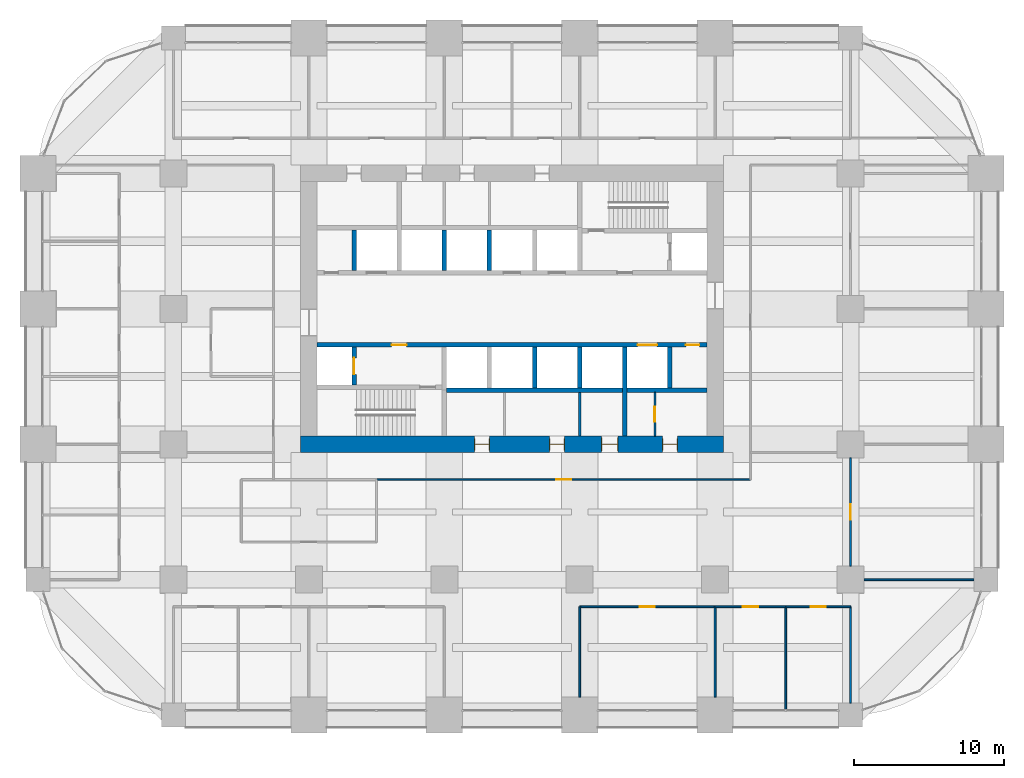
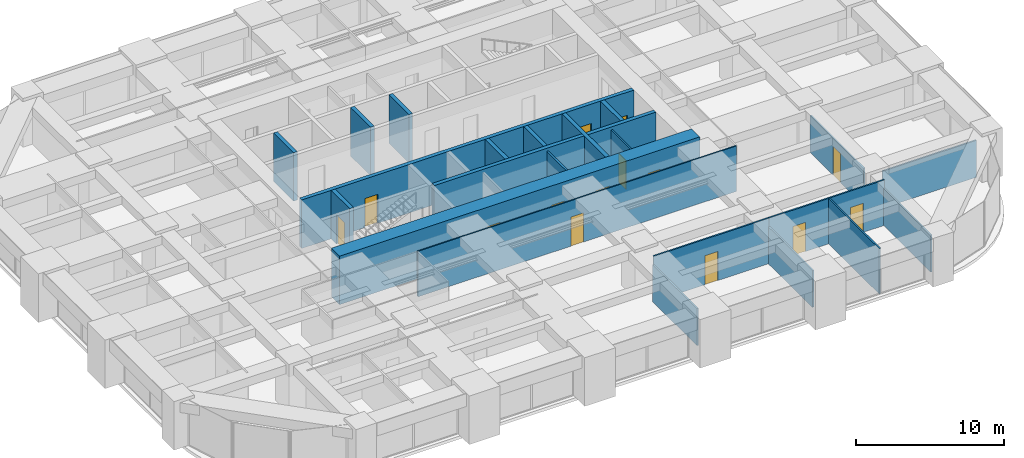
# One storey, part 39 of 43: 23 walls, 14 doors, 14 openings.
"""IFC4 building model written with IfcOpenShell, lengths in metres."""

from ifc_helpers import new_model, si_unit, direction, frame, frame_2d, origin, place, context, subcontext, project, spatial, rectangle, extrude, material, layer, layer_set, type_object, element, fill, save


model = new_model("IFC4")

# Units and contexts
model_context = context("Model", 3, precision=1e-05, world=origin(), true_north=direction((0.0, 1.0)))
body_context = subcontext(model_context, "Body", "Model", "MODEL_VIEW")
ifc_project = project(units=[si_unit("LENGTHUNIT", "METRE"), si_unit("AREAUNIT", "SQUARE_METRE"), si_unit("VOLUMEUNIT", "CUBIC_METRE"), si_unit("PLANEANGLEUNIT", "RADIAN"), si_unit("MASSUNIT", "GRAM", prefix="KILO")], contexts=[model_context])

# Site, building, storey
site_placement = place(None, origin())
site = spatial("IfcSite", under=ifc_project, at=site_placement, CompositionType="ELEMENT")
building_placement = place(site_placement, origin())
building = spatial("IfcBuilding", under=site, at=building_placement, Name="Zorevar Civic Tower", CompositionType="ELEMENT")
storey_placement = place(building_placement, frame((0.0, 0.0, 145.0)))
storey = spatial("IfcBuildingStorey", under=building, at=storey_placement, Name="L35", CompositionType="ELEMENT", Elevation=145.0)

# Wall, openings, doors
ifc_material_1 = material(Name="Concrete C50/60", Category="concrete")
ifc_layer_1 = layer(ifc_material_1, 1.10009765625)
ifc_layer_set_1 = layer_set([ifc_layer_1], Name="Core wall 1100")
wall_type_1 = type_object("IfcWallType", Name="Core wall 1100", PredefinedType="SHEAR", material=ifc_layer_set_1)
wall_1_placement = place(storey_placement, frame((17.449951171875, 18.0, 0.0), z_axis=(0.0, 0.0, 1.0), x_axis=(1.0, 0.0, 0.0)))
wall_1 = element("IfcWall", 1, at=wall_1_placement, inside=storey, type_object=wall_type_1, Name="Core wall S L35", PredefinedType="SHEAR", context=body_context, shape_type="SweptSolid", body=[
    extrude(rectangle(XDim=28.10009765625, YDim=1.10009765625, at=frame_2d((14.050048828125, 0.0))), origin(), (0.0, 0.0, 1.0), 4.0),
])
opening_1_placement = place(wall_1_placement, frame((11.550048828125, 0.0, 0.0)))
opening_1 = element("IfcOpeningElement", 2, at=opening_1_placement, cuts=wall_1, Name="Opening L35.03", PredefinedType="OPENING", context=body_context, shape_type="SweptSolid", body=[
    extrude(rectangle(XDim=1.0, YDim=2.39990234375, at=frame_2d((0.5, 1.199951171875))), frame((0.0, 0.56005859375, 0.0), z_axis=(0.0, -1.0, 0.0), x_axis=(1.0, 0.0, 0.0)), (0.0, 0.0, 1.0), 1.1201171875),
])
opening_2_placement = place(wall_1_placement, frame((16.550048828125, 0.0, 0.0)))
opening_2 = element("IfcOpeningElement", 3, at=opening_2_placement, cuts=wall_1, Name="Opening L35.04", PredefinedType="OPENING", context=body_context, shape_type="SweptSolid", body=[
    extrude(rectangle(XDim=1.0, YDim=2.39990234375, at=frame_2d((0.5, 1.199951171875))), frame((0.0, 0.56005859375, 0.0), z_axis=(0.0, -1.0, 0.0), x_axis=(1.0, 0.0, 0.0)), (0.0, 0.0, 1.0), 1.1201171875),
])
opening_3_placement = place(wall_1_placement, frame((20.0, 0.0, 0.0)))
opening_3 = element("IfcOpeningElement", 4, at=opening_3_placement, cuts=wall_1, Name="Opening L35.05", PredefinedType="OPENING", context=body_context, shape_type="SweptSolid", body=[
    extrude(rectangle(XDim=1.10009765625, YDim=2.39990234375, at=frame_2d((0.550048828125, 1.199951171875))), frame((0.0, 0.56005859375, 0.0), z_axis=(0.0, -1.0, 0.0), x_axis=(1.0, 0.0, 0.0)), (0.0, 0.0, 1.0), 1.1201171875),
])
opening_4_placement = place(wall_1_placement, frame((24.050048828125, 0.0, 0.0)))
opening_4 = element("IfcOpeningElement", 5, at=opening_4_placement, cuts=wall_1, Name="Opening L35.06", PredefinedType="OPENING", context=body_context, shape_type="SweptSolid", body=[
    extrude(rectangle(XDim=1.0, YDim=2.39990234375, at=frame_2d((0.5, 1.199951171875))), frame((0.0, 0.56005859375, 0.0), z_axis=(0.0, -1.0, 0.0), x_axis=(1.0, 0.0, 0.0)), (0.0, 0.0, 1.0), 1.1201171875),
])
ifc_material_2 = material(Name="Timber door set", Category="wood")
door_type_1 = type_object("IfcDoorType", Name="Door D1 1000x2400", OperationType="SINGLE_SWING_LEFT", PredefinedType="DOOR", material=ifc_material_2)
door_1_placement = place(opening_1_placement, origin())
door_1 = element("IfcDoor", 6, at=door_1_placement, inside=storey, type_object=door_type_1, Name="Door L35 02", OperationType="SINGLE_SWING_RIGHT", OverallHeight=2.39990234375, OverallWidth=1.0, PredefinedType="DOOR", context=body_context, shape_type="SweptSolid", body=[
    extrude(rectangle(XDim=1.0, YDim=2.39990234375, at=frame_2d((0.5, 1.199951171875))), frame((0.0, 0.02490234375, 0.0), z_axis=(0.0, -1.0, 0.0), x_axis=(1.0, 0.0, 0.0)), (0.0, 0.0, 1.0), 0.050048828125),
    extrude(rectangle(XDim=0.04, YDim=2.39990234375, at=frame_2d((0.02001953125, 1.199951171875))), frame((0.0, 0.39990234375, 0.0), z_axis=(0.0, -1.0, 0.0), x_axis=(1.0, 0.0, 0.0)), (0.0, 0.0, 1.0), 0.800048828125),
    extrude(rectangle(XDim=0.04, YDim=2.39990234375, at=frame_2d((0.97998046875, 1.199951171875))), frame((0.0, 0.39990234375, 0.0), z_axis=(0.0, -1.0, 0.0), x_axis=(1.0, 0.0, 0.0)), (0.0, 0.0, 1.0), 0.800048828125),
    extrude(rectangle(XDim=1.0, YDim=0.04, at=frame_2d((0.5, 2.3798828125))), frame((0.0, 0.39990234375, 0.0), z_axis=(0.0, -1.0, 0.0), x_axis=(1.0, 0.0, 0.0)), (0.0, 0.0, 1.0), 0.800048828125),
])
fill(opening_1, door_1)
door_2_placement = place(opening_2_placement, origin())
door_2 = element("IfcDoor", 7, at=door_2_placement, inside=storey, type_object=door_type_1, Name="Door L35 03", OperationType="SINGLE_SWING_LEFT", OverallHeight=2.39990234375, OverallWidth=1.0, PredefinedType="DOOR", context=body_context, shape_type="SweptSolid", body=[
    extrude(rectangle(XDim=1.0, YDim=2.39990234375, at=frame_2d((0.5, 1.199951171875))), frame((0.0, 0.02490234375, 0.0), z_axis=(0.0, -1.0, 0.0), x_axis=(1.0, 0.0, 0.0)), (0.0, 0.0, 1.0), 0.050048828125),
    extrude(rectangle(XDim=0.04, YDim=2.39990234375, at=frame_2d((0.02001953125, 1.199951171875))), frame((0.0, 0.39990234375, 0.0), z_axis=(0.0, -1.0, 0.0), x_axis=(1.0, 0.0, 0.0)), (0.0, 0.0, 1.0), 0.800048828125),
    extrude(rectangle(XDim=0.04, YDim=2.39990234375, at=frame_2d((0.97998046875, 1.199951171875))), frame((0.0, 0.39990234375, 0.0), z_axis=(0.0, -1.0, 0.0), x_axis=(1.0, 0.0, 0.0)), (0.0, 0.0, 1.0), 0.800048828125),
    extrude(rectangle(XDim=1.0, YDim=0.04, at=frame_2d((0.5, 2.3798828125))), frame((0.0, 0.39990234375, 0.0), z_axis=(0.0, -1.0, 0.0), x_axis=(1.0, 0.0, 0.0)), (0.0, 0.0, 1.0), 0.800048828125),
])
fill(opening_2, door_2)
door_3_placement = place(opening_4_placement, origin())
door_3 = element("IfcDoor", 8, at=door_3_placement, inside=storey, type_object=door_type_1, Name="Door L35 05", OperationType="SINGLE_SWING_LEFT", OverallHeight=2.39990234375, OverallWidth=1.0, PredefinedType="DOOR", context=body_context, shape_type="SweptSolid", body=[
    extrude(rectangle(XDim=1.0, YDim=2.39990234375, at=frame_2d((0.5, 1.199951171875))), frame((0.0, 0.02490234375, 0.0), z_axis=(0.0, -1.0, 0.0), x_axis=(1.0, 0.0, 0.0)), (0.0, 0.0, 1.0), 0.050048828125),
    extrude(rectangle(XDim=0.04, YDim=2.39990234375, at=frame_2d((0.02001953125, 1.199951171875))), frame((0.0, 0.39990234375, 0.0), z_axis=(0.0, -1.0, 0.0), x_axis=(1.0, 0.0, 0.0)), (0.0, 0.0, 1.0), 0.800048828125),
    extrude(rectangle(XDim=0.04, YDim=2.39990234375, at=frame_2d((0.97998046875, 1.199951171875))), frame((0.0, 0.39990234375, 0.0), z_axis=(0.0, -1.0, 0.0), x_axis=(1.0, 0.0, 0.0)), (0.0, 0.0, 1.0), 0.800048828125),
    extrude(rectangle(XDim=1.0, YDim=0.04, at=frame_2d((0.5, 2.3798828125))), frame((0.0, 0.39990234375, 0.0), z_axis=(0.0, -1.0, 0.0), x_axis=(1.0, 0.0, 0.0)), (0.0, 0.0, 1.0), 0.800048828125),
])
fill(opening_4, door_3)
ifc_material_3 = material(Name="Timber door set", Category="wood")
door_type_2 = type_object("IfcDoorType", Name="Door D5 1100x2400", OperationType="SINGLE_SWING_LEFT", PredefinedType="DOOR", material=ifc_material_3)
door_4_placement = place(opening_3_placement, origin())
door_4 = element("IfcDoor", 9, at=door_4_placement, inside=storey, type_object=door_type_2, Name="Door L35 04", OperationType="SINGLE_SWING_LEFT", OverallHeight=2.39990234375, OverallWidth=1.10009765625, PredefinedType="DOOR", context=body_context, shape_type="SweptSolid", body=[
    extrude(rectangle(XDim=1.10009765625, YDim=2.39990234375, at=frame_2d((0.550048828125, 1.199951171875))), frame((0.0, 0.02490234375, 0.0), z_axis=(0.0, -1.0, 0.0), x_axis=(1.0, 0.0, 0.0)), (0.0, 0.0, 1.0), 0.050048828125),
    extrude(rectangle(XDim=0.04, YDim=2.39990234375, at=frame_2d((0.02001953125, 1.199951171875))), frame((0.0, 0.43994140625, 0.0), z_axis=(0.0, -1.0, 0.0), x_axis=(1.0, 0.0, 0.0)), (0.0, 0.0, 1.0), 0.880126953125),
    extrude(rectangle(XDim=0.04, YDim=2.39990234375, at=frame_2d((1.080078125, 1.199951171875))), frame((0.0, 0.43994140625, 0.0), z_axis=(0.0, -1.0, 0.0), x_axis=(1.0, 0.0, 0.0)), (0.0, 0.0, 1.0), 0.880126953125),
    extrude(rectangle(XDim=1.10009765625, YDim=0.04, at=frame_2d((0.550048828125, 2.3798828125))), frame((0.0, 0.43994140625, 0.0), z_axis=(0.0, -1.0, 0.0), x_axis=(1.0, 0.0, 0.0)), (0.0, 0.0, 1.0), 0.880126953125),
])
fill(opening_3, door_4)

# Wall, opening, door
ifc_material_4 = material(Name="Laminated glass in black aluminium frame", Category="aluminium")
ifc_layer_2 = layer(ifc_material_4, 0.10009765625)
ifc_layer_set_2 = layer_set([ifc_layer_2], Name="Glazed partition 100")
wall_type_2 = type_object("IfcWallType", Name="Glazed partition 100", PredefinedType="PARTITIONING", material=ifc_layer_set_2)
wall_2_placement = place(storey_placement, frame((22.5, 15.64990234375, 0.0), z_axis=(0.0, 0.0, 1.0), x_axis=(1.0, 0.0, 0.0)))
wall_2 = element("IfcWall", 10, at=wall_2_placement, inside=storey, type_object=wall_type_2, Name="Glazed partition 100 L35", PredefinedType="PARTITIONING", context=body_context, shape_type="SweptSolid", body=[
    extrude(rectangle(XDim=24.85009765625, YDim=0.10009765625, at=frame_2d((12.425048828125, 0.0))), origin(), (0.0, 0.0, 1.0), 3.75),
])
opening_5_placement = place(wall_2_placement, frame((11.925048828125, 0.0, 0.0)))
opening_5 = element("IfcOpeningElement", 11, at=opening_5_placement, cuts=wall_2, Name="Opening L35.24", PredefinedType="OPENING", context=body_context, shape_type="SweptSolid", body=[
    extrude(rectangle(XDim=1.0, YDim=2.39990234375, at=frame_2d((0.5, 1.199951171875))), frame((0.0, 0.06005859375, 0.0), z_axis=(0.0, -1.0, 0.0), x_axis=(1.0, 0.0, 0.0)), (0.0, 0.0, 1.0), 0.1201171875),
])
ifc_material_5 = material(Name="Timber door set", Category="wood")
door_type_3 = type_object("IfcDoorType", Name="Glazed door GD1 1000x2400", OperationType="SINGLE_SWING_LEFT", PredefinedType="DOOR", material=ifc_material_5)
door_5_placement = place(opening_5_placement, origin())
door_5 = element("IfcDoor", 12, at=door_5_placement, inside=storey, type_object=door_type_3, Name="Door L35 D1", OperationType="SINGLE_SWING_LEFT", OverallHeight=2.39990234375, OverallWidth=1.0, PredefinedType="DOOR", context=body_context, shape_type="SweptSolid", body=[
    extrude(rectangle(XDim=1.0, YDim=2.39990234375, at=frame_2d((0.5, 1.199951171875))), frame((0.0, 0.02001953125, 0.0), z_axis=(0.0, -1.0, 0.0), x_axis=(1.0, 0.0, 0.0)), (0.0, 0.0, 1.0), 0.0400390625),
])
fill(opening_5, door_5)

ifc_material_6 = material(Name="Concrete C40/50", Category="concrete")
ifc_layer_3 = layer(ifc_material_6, 0.300048828125)
ifc_layer_set_3 = layer_set([ifc_layer_3], Name="Inner core wall 300")
wall_type_3 = type_object("IfcWallType", Name="Inner core wall 300", PredefinedType="SHEAR", material=ifc_layer_set_3)
wall_3_placement = place(storey_placement, frame((21.0, 21.949951171875, 0.0), z_axis=(0.0, 0.0, 1.0), x_axis=(0.0, 1.0, 0.0)))
wall_3 = element("IfcWall", 13, at=wall_3_placement, inside=storey, type_object=wall_type_3, Name="Inner core wall S02 L35", PredefinedType="SHEAR", context=body_context, shape_type="SweptSolid", body=[
    extrude(rectangle(XDim=2.5, YDim=0.300048828125, at=frame_2d((1.25, 0.0))), origin(), (0.0, 0.0, 1.0), 4.0),
])
opening_6_placement = place(wall_3_placement, frame((0.699951171875, 0.0, 0.0)))
opening_6 = element("IfcOpeningElement", 14, at=opening_6_placement, cuts=wall_3, Name="Opening L35.FL1", PredefinedType="OPENING", context=body_context, shape_type="SweptSolid", body=[
    extrude(rectangle(XDim=1.10009765625, YDim=2.39990234375, at=frame_2d((0.550048828125, 1.199951171875))), frame((0.0, 0.159912109375, 0.0), z_axis=(0.0, -1.0, 0.0), x_axis=(1.0, 0.0, 0.0)), (0.0, 0.0, 1.0), 0.320068359375),
])
ifc_material_7 = material(Name="Steel door set", Category="steel")
door_type_4 = type_object("IfcDoorType", Name="Firefighting lift landing door LD3 1100x2400", OperationType="DOUBLE_DOOR_SLIDING", PredefinedType="DOOR", material=ifc_material_7)
door_6_placement = place(opening_6_placement, origin())
door_6 = element("IfcDoor", 15, at=door_6_placement, inside=storey, type_object=door_type_4, Name="Landing door FL1 L35", OperationType="DOUBLE_DOOR_SLIDING", OverallHeight=2.39990234375, OverallWidth=1.10009765625, PredefinedType="DOOR", context=body_context, shape_type="SweptSolid", body=[
    extrude(rectangle(XDim=1.10009765625, YDim=2.39990234375, at=frame_2d((0.550048828125, 1.199951171875))), frame((0.0, 0.030029296875, 0.0), z_axis=(0.0, -1.0, 0.0), x_axis=(1.0, 0.0, 0.0)), (0.0, 0.0, 1.0), 0.06005859375),
])
fill(opening_6, door_6)

# Wall, openings, doors
wall_4_placement = place(storey_placement, frame((18.550048828125, 24.60009765625, 0.0), z_axis=(0.0, 0.0, 1.0), x_axis=(1.0, 0.0, 0.0)))
wall_4 = element("IfcWall", 16, at=wall_4_placement, inside=storey, type_object=wall_type_3, Name="Inner core wall S03 L35", PredefinedType="SHEAR", context=body_context, shape_type="SweptSolid", body=[
    extrude(rectangle(XDim=25.89990234375, YDim=0.300048828125, at=frame_2d((12.949951171875, 0.0))), origin(), (0.0, 0.0, 1.0), 4.0),
])
opening_7_placement = place(wall_4_placement, frame((4.949951171875, 0.0, 0.0)))
opening_7 = element("IfcOpeningElement", 17, at=opening_7_placement, cuts=wall_4, Name="Opening L35.13", PredefinedType="OPENING", context=body_context, shape_type="SweptSolid", body=[
    extrude(rectangle(XDim=1.0, YDim=2.39990234375, at=frame_2d((0.5, 1.199951171875))), frame((0.0, 0.159912109375, 0.0), z_axis=(0.0, -1.0, 0.0), x_axis=(1.0, 0.0, 0.0)), (0.0, 0.0, 1.0), 0.320068359375),
])
opening_8_placement = place(wall_4_placement, frame((24.5, 0.0, 0.0)))
opening_8 = element("IfcOpeningElement", 18, at=opening_8_placement, cuts=wall_4, Name="Opening L35.15", PredefinedType="OPENING", context=body_context, shape_type="SweptSolid", body=[
    extrude(rectangle(XDim=0.89990234375, YDim=2.10009765625, at=frame_2d((0.449951171875, 1.050048828125))), frame((0.0, 0.159912109375, 0.0), z_axis=(0.0, -1.0, 0.0), x_axis=(1.0, 0.0, 0.0)), (0.0, 0.0, 1.0), 0.320068359375),
])
opening_9_placement = place(wall_4_placement, frame((21.300048828125, 0.0, 0.0)))
opening_9 = element("IfcOpeningElement", 19, at=opening_9_placement, cuts=wall_4, Name="Opening L35.SL1", PredefinedType="OPENING", context=body_context, shape_type="SweptSolid", body=[
    extrude(rectangle(XDim=1.300048828125, YDim=2.39990234375, at=frame_2d((0.64990234375, 1.199951171875))), frame((0.0, 0.159912109375, 0.0), z_axis=(0.0, -1.0, 0.0), x_axis=(1.0, 0.0, 0.0)), (0.0, 0.0, 1.0), 0.320068359375),
])
ifc_material_8 = material(Name="Steel door set", Category="steel")
door_type_5 = type_object("IfcDoorType", Name="Fire door FD1 1000x2400", OperationType="SINGLE_SWING_LEFT", PredefinedType="DOOR", material=ifc_material_8)
door_7_placement = place(opening_7_placement, origin())
door_7 = element("IfcDoor", 20, at=door_7_placement, inside=storey, type_object=door_type_5, Name="Door L35 12", OperationType="SINGLE_SWING_RIGHT", OverallHeight=2.39990234375, OverallWidth=1.0, PredefinedType="DOOR", context=body_context, shape_type="SweptSolid", body=[
    extrude(rectangle(XDim=1.0, YDim=2.39990234375, at=frame_2d((0.5, 1.199951171875))), frame((0.0, 0.030029296875, 0.0), z_axis=(0.0, -1.0, 0.0), x_axis=(1.0, 0.0, 0.0)), (0.0, 0.0, 1.0), 0.06005859375),
])
fill(opening_7, door_7)
ifc_material_9 = material(Name="Steel door set", Category="steel")
door_type_6 = type_object("IfcDoorType", Name="Landing door LD2 1300x2400", OperationType="DOUBLE_DOOR_SLIDING", PredefinedType="DOOR", material=ifc_material_9)
door_8_placement = place(opening_9_placement, origin())
door_8 = element("IfcDoor", 21, at=door_8_placement, inside=storey, type_object=door_type_6, Name="Landing door SL1 L35", OperationType="DOUBLE_DOOR_SLIDING", OverallHeight=2.39990234375, OverallWidth=1.300048828125, PredefinedType="DOOR", context=body_context, shape_type="SweptSolid", body=[
    extrude(rectangle(XDim=1.300048828125, YDim=2.39990234375, at=frame_2d((0.64990234375, 1.199951171875))), frame((0.0, 0.02001953125, 0.0), z_axis=(0.0, -1.0, 0.0), x_axis=(1.0, 0.0, 0.0)), (0.0, 0.0, 1.0), 0.0400390625),
])
fill(opening_9, door_8)
ifc_material_10 = material(Name="Steel door set", Category="steel")
door_type_7 = type_object("IfcDoorType", Name="Riser door RD1 900x2100", OperationType="SINGLE_SWING_LEFT", PredefinedType="DOOR", material=ifc_material_10)
door_9_placement = place(opening_8_placement, origin())
door_9 = element("IfcDoor", 22, at=door_9_placement, inside=storey, type_object=door_type_7, Name="Door L35 14", OperationType="SINGLE_SWING_RIGHT", OverallHeight=2.10009765625, OverallWidth=0.89990234375, PredefinedType="DOOR", context=body_context, shape_type="SweptSolid", body=[
    extrude(rectangle(XDim=0.89990234375, YDim=2.10009765625, at=frame_2d((0.449951171875, 1.050048828125))), frame((0.0, 0.030029296875, 0.0), z_axis=(0.0, -1.0, 0.0), x_axis=(1.0, 0.0, 0.0)), (0.0, 0.0, 1.0), 0.06005859375),
])
fill(opening_8, door_9)

# Walls
wall_5_placement = place(storey_placement, frame((27.14990234375, 21.60009765625, 0.0), z_axis=(0.0, 0.0, 1.0), x_axis=(1.0, 0.0, 0.0)))
element("IfcWall", 23, at=wall_5_placement, inside=storey, type_object=wall_type_3, Name="Inner core wall S04 L35", PredefinedType="SHEAR", context=body_context, shape_type="SweptSolid", body=[
    extrude(rectangle(XDim=17.300048828125, YDim=0.300048828125, at=frame_2d((8.64990234375, 0.0))), origin(), (0.0, 0.0, 1.0), 4.0),
])
for number, where, z_axis, x_axis, name in (
    (24, (33.0, 21.75, 0.0), (0.0, 0.0, 1.0), (0.0, 1.0, 0.0), "Inner core wall S06 L35"),
    (25, (30.0, 29.550048828125, 0.0), (0.0, 0.0, 1.0), (0.0, 1.0, 0.0), "Inner core wall N06 L35"),
    (26, (36.0, 21.75, 0.0), (0.0, 0.0, 1.0), (0.0, 1.0, 0.0), "Inner core wall S07 L35"),
    (27, (27.0, 29.550048828125, 0.0), (0.0, 0.0, 1.0), (0.0, 1.0, 0.0), "Inner core wall N07 L35"),
):
    element("IfcWall", number, at=place(storey_placement, frame(where, z_axis=z_axis, x_axis=x_axis)), inside=storey, type_object=wall_type_3, Name=name, PredefinedType="SHEAR", context=body_context, shape_type="SweptSolid", body=[
        extrude(rectangle(XDim=2.699951171875, YDim=0.300048828125, at=frame_2d((1.35009765625, 0.0))), origin(), (0.0, 0.0, 1.0), 4.0),
    ])
wall_6_placement = place(storey_placement, frame((39.0, 18.550048828125, 0.0), z_axis=(0.0, 0.0, 1.0), x_axis=(0.0, 1.0, 0.0)))
element("IfcWall", 28, at=wall_6_placement, inside=storey, type_object=wall_type_3, Name="Inner core wall S08 L35", PredefinedType="SHEAR", context=body_context, shape_type="SweptSolid", body=[
    extrude(rectangle(XDim=5.89990234375, YDim=0.300048828125, at=frame_2d((2.949951171875, 0.0))), origin(), (0.0, 0.0, 1.0), 4.0),
])
for number, where, z_axis, x_axis, name in (
    (29, (42.0, 21.75, 0.0), (0.0, 0.0, 1.0), (0.0, 1.0, 0.0), "Inner core wall S09 L35"),
    (30, (21.0, 29.550048828125, 0.0), (0.0, 0.0, 1.0), (0.0, 1.0, 0.0), "Inner core wall N09 L35"),
):
    element("IfcWall", number, at=place(storey_placement, frame(where, z_axis=z_axis, x_axis=x_axis)), inside=storey, type_object=wall_type_3, Name=name, PredefinedType="SHEAR", context=body_context, shape_type="SweptSolid", body=[
        extrude(rectangle(XDim=2.699951171875, YDim=0.300048828125, at=frame_2d((1.35009765625, 0.0))), origin(), (0.0, 0.0, 1.0), 4.0),
    ])

# Wall, opening, door
ifc_material_11 = material(Name="Gypsum board on steel studs", Category="steel")
ifc_layer_4 = layer(ifc_material_11, 0.1201171875)
ifc_layer_set_4 = layer_set([ifc_layer_4], Name="Partition 120")
wall_type_4 = type_object("IfcWallType", Name="Partition 120", PredefinedType="PARTITIONING", material=ifc_layer_set_4)
wall_7_placement = place(storey_placement, frame((36.0, 7.199951171875, 0.0), z_axis=(0.0, 0.0, 1.0), x_axis=(1.0, 0.0, 0.0)))
wall_7 = element("IfcWall", 31, at=wall_7_placement, inside=storey, type_object=wall_type_4, Name="Partition 120 L35", PredefinedType="PARTITIONING", context=body_context, shape_type="SweptSolid", body=[
    extrude(rectangle(XDim=9.0, YDim=0.1201171875, at=frame_2d((4.5, 0.0))), origin(), (0.0, 0.0, 1.0), 3.75),
])
opening_10_placement = place(wall_7_placement, frame((4.0, 0.0, 0.0)))
opening_10 = element("IfcOpeningElement", 32, at=opening_10_placement, cuts=wall_7, Name="Opening L35.20", PredefinedType="OPENING", context=body_context, shape_type="SweptSolid", body=[
    extrude(rectangle(XDim=1.0, YDim=2.39990234375, at=frame_2d((0.5, 1.199951171875))), frame((0.0, 0.070068359375, 0.0), z_axis=(0.0, -1.0, 0.0), x_axis=(1.0, 0.0, 0.0)), (0.0, 0.0, 1.0), 0.14013671875),
])
door_10_placement = place(opening_10_placement, origin())
door_10 = element("IfcDoor", 33, at=door_10_placement, inside=storey, type_object=door_type_1, Name="Door L35 D1", OperationType="SINGLE_SWING_LEFT", OverallHeight=2.39990234375, OverallWidth=1.0, PredefinedType="DOOR", context=body_context, shape_type="SweptSolid", body=[
    extrude(rectangle(XDim=1.0, YDim=2.39990234375, at=frame_2d((0.5, 1.199951171875))), frame((0.0, 0.02490234375, 0.0), z_axis=(0.0, -1.0, 0.0), x_axis=(1.0, 0.0, 0.0)), (0.0, 0.0, 1.0), 0.050048828125),
])
fill(opening_10, door_10)

wall_8_placement = place(storey_placement, frame((45.0, 7.199951171875, 0.0), z_axis=(0.0, 0.0, 1.0), x_axis=(1.0, 0.0, 0.0)))
wall_8 = element("IfcWall", 34, at=wall_8_placement, inside=storey, type_object=wall_type_4, Name="Partition 120 L35", PredefinedType="PARTITIONING", context=body_context, shape_type="SweptSolid", body=[
    extrude(rectangle(XDim=4.699951171875, YDim=0.1201171875, at=frame_2d((2.35009765625, 0.0))), origin(), (0.0, 0.0, 1.0), 3.75),
])
opening_11_placement = place(wall_8_placement, frame((1.85009765625, 0.0, 0.0)))
opening_11 = element("IfcOpeningElement", 35, at=opening_11_placement, cuts=wall_8, Name="Opening L35.21", PredefinedType="OPENING", context=body_context, shape_type="SweptSolid", body=[
    extrude(rectangle(XDim=1.0, YDim=2.39990234375, at=frame_2d((0.5, 1.199951171875))), frame((0.0, 0.070068359375, 0.0), z_axis=(0.0, -1.0, 0.0), x_axis=(1.0, 0.0, 0.0)), (0.0, 0.0, 1.0), 0.14013671875),
])
door_11_placement = place(opening_11_placement, origin())
door_11 = element("IfcDoor", 36, at=door_11_placement, inside=storey, type_object=door_type_1, Name="Door L35 D1", OperationType="SINGLE_SWING_LEFT", OverallHeight=2.39990234375, OverallWidth=1.0, PredefinedType="DOOR", context=body_context, shape_type="SweptSolid", body=[
    extrude(rectangle(XDim=1.0, YDim=2.39990234375, at=frame_2d((0.5, 1.199951171875))), frame((0.0, 0.02490234375, 0.0), z_axis=(0.0, -1.0, 0.0), x_axis=(1.0, 0.0, 0.0)), (0.0, 0.0, 1.0), 0.050048828125),
])
fill(opening_11, door_11)

wall_9_placement = place(storey_placement, frame((49.699951171875, 7.199951171875, 0.0), z_axis=(0.0, 0.0, 1.0), x_axis=(1.0, 0.0, 0.0)))
wall_9 = element("IfcWall", 37, at=wall_9_placement, inside=storey, type_object=wall_type_4, Name="Partition 120 L35", PredefinedType="PARTITIONING", context=body_context, shape_type="SweptSolid", body=[
    extrude(rectangle(XDim=4.300048828125, YDim=0.1201171875, at=frame_2d((2.14990234375, 0.0))), origin(), (0.0, 0.0, 1.0), 3.75),
])
opening_12_placement = place(wall_9_placement, frame((1.64990234375, 0.0, 0.0)))
opening_12 = element("IfcOpeningElement", 38, at=opening_12_placement, cuts=wall_9, Name="Opening L35.22", PredefinedType="OPENING", context=body_context, shape_type="SweptSolid", body=[
    extrude(rectangle(XDim=1.0, YDim=2.39990234375, at=frame_2d((0.5, 1.199951171875))), frame((0.0, 0.070068359375, 0.0), z_axis=(0.0, -1.0, 0.0), x_axis=(1.0, 0.0, 0.0)), (0.0, 0.0, 1.0), 0.14013671875),
])
door_12_placement = place(opening_12_placement, origin())
door_12 = element("IfcDoor", 39, at=door_12_placement, inside=storey, type_object=door_type_1, Name="Door L35 D1", OperationType="SINGLE_SWING_LEFT", OverallHeight=2.39990234375, OverallWidth=1.0, PredefinedType="DOOR", context=body_context, shape_type="SweptSolid", body=[
    extrude(rectangle(XDim=1.0, YDim=2.39990234375, at=frame_2d((0.5, 1.199951171875))), frame((0.0, 0.02490234375, 0.0), z_axis=(0.0, -1.0, 0.0), x_axis=(1.0, 0.0, 0.0)), (0.0, 0.0, 1.0), 0.050048828125),
])
fill(opening_12, door_12)

# Walls
wall_10_placement = place(storey_placement, frame((54.89990234375, 9.0, 0.0), z_axis=(0.0, 0.0, 1.0), x_axis=(1.0, 0.0, 0.0)))
element("IfcWall", 40, at=wall_10_placement, inside=storey, type_object=wall_type_4, Name="Partition 120 L35", PredefinedType="PARTITIONING", context=body_context, shape_type="SweptSolid", body=[
    extrude(rectangle(XDim=7.300048828125, YDim=0.1201171875, at=frame_2d((3.64990234375, 0.0))), origin(), (0.0, 0.0, 1.0), 3.050048828125),
])
for number, where, z_axis, x_axis, name in (
    (41, (36.0, 1.199951171875, 0.0), (0.0, 0.0, 1.0), (0.0, 1.0, 0.0), "Partition 120 L35"),
    (42, (45.0, 1.199951171875, 0.0), (0.0, 0.0, 1.0), (0.0, 1.0, 0.0), "Partition 120 L35"),
):
    element("IfcWall", number, at=place(storey_placement, frame(where, z_axis=z_axis, x_axis=x_axis)), inside=storey, type_object=wall_type_4, Name=name, PredefinedType="PARTITIONING", context=body_context, shape_type="SweptSolid", body=[
        extrude(rectangle(XDim=6.0, YDim=0.1201171875, at=frame_2d((3.0, 0.0))), origin(), (0.0, 0.0, 1.0), 3.050048828125),
    ])
wall_11_placement = place(storey_placement, frame((49.699951171875, 0.31005859375, 0.0), z_axis=(0.0, 0.0, 1.0), x_axis=(0.0, 1.0, 0.0)))
element("IfcWall", 43, at=wall_11_placement, inside=storey, type_object=wall_type_4, Name="Partition 120 L35", PredefinedType="PARTITIONING", context=body_context, shape_type="SweptSolid", body=[
    extrude(rectangle(XDim=6.889892578125, YDim=0.1201171875, at=frame_2d((3.44482421875, 0.0))), origin(), (0.0, 0.0, 1.0), 3.75),
])
wall_12_placement = place(storey_placement, frame((54.0, 0.800048828125, 0.0), z_axis=(0.0, 0.0, 1.0), x_axis=(0.0, 1.0, 0.0)))
element("IfcWall", 44, at=wall_12_placement, inside=storey, type_object=wall_type_4, Name="Partition 120 L35", PredefinedType="PARTITIONING", context=body_context, shape_type="SweptSolid", body=[
    extrude(rectangle(XDim=6.39990234375, YDim=0.1201171875, at=frame_2d((3.199951171875, 0.0))), origin(), (0.0, 0.0, 1.0), 3.050048828125),
])

# Wall, opening, door
wall_13_placement = place(storey_placement, frame((54.0, 9.89990234375, 0.0), z_axis=(0.0, 0.0, 1.0), x_axis=(0.0, 1.0, 0.0)))
wall_13 = element("IfcWall", 45, at=wall_13_placement, inside=storey, type_object=wall_type_4, Name="Partition 120 L35", PredefinedType="PARTITIONING", context=body_context, shape_type="SweptSolid", body=[
    extrude(rectangle(XDim=7.2001953125, YDim=0.1201171875, at=frame_2d((3.60009765625, 0.0))), origin(), (0.0, 0.0, 1.0), 3.050048828125),
])
opening_13_placement = place(wall_13_placement, frame((3.10009765625, 0.0, 0.0)))
opening_13 = element("IfcOpeningElement", 46, at=opening_13_placement, cuts=wall_13, Name="Opening L35.41", PredefinedType="OPENING", context=body_context, shape_type="SweptSolid", body=[
    extrude(rectangle(XDim=1.0, YDim=2.39990234375, at=frame_2d((0.5, 1.199951171875))), frame((0.0, 0.070068359375, 0.0), z_axis=(0.0, -1.0, 0.0), x_axis=(1.0, 0.0, 0.0)), (0.0, 0.0, 1.0), 0.14013671875),
])
door_13_placement = place(opening_13_placement, origin())
door_13 = element("IfcDoor", 47, at=door_13_placement, inside=storey, type_object=door_type_1, Name="Door L35 D1", OperationType="SINGLE_SWING_LEFT", OverallHeight=2.39990234375, OverallWidth=1.0, PredefinedType="DOOR", context=body_context, shape_type="SweptSolid", body=[
    extrude(rectangle(XDim=1.0, YDim=2.39990234375, at=frame_2d((0.5, 1.199951171875))), frame((0.0, 0.02490234375, 0.0), z_axis=(0.0, -1.0, 0.0), x_axis=(1.0, 0.0, 0.0)), (0.0, 0.0, 1.0), 0.050048828125),
])
fill(opening_13, door_13)

wall_14_placement = place(storey_placement, frame((41.0, 18.550048828125, 0.0), z_axis=(0.0, 0.0, 1.0), x_axis=(0.0, 1.0, 0.0)))
wall_14 = element("IfcWall", 48, at=wall_14_placement, inside=storey, type_object=wall_type_4, Name="Partition L35", PredefinedType="PARTITIONING", context=body_context, shape_type="SweptSolid", body=[
    extrude(rectangle(XDim=2.89990234375, YDim=0.1201171875, at=frame_2d((1.449951171875, 0.0))), origin(), (0.0, 0.0, 1.0), 3.75),
])
opening_14_placement = place(wall_14_placement, frame((0.949951171875, 0.0, 0.0)))
opening_14 = element("IfcOpeningElement", 49, at=opening_14_placement, cuts=wall_14, Name="Opening L35.43", PredefinedType="OPENING", context=body_context, shape_type="SweptSolid", body=[
    extrude(rectangle(XDim=1.0, YDim=2.39990234375, at=frame_2d((0.5, 1.199951171875))), frame((0.0, 0.070068359375, 0.0), z_axis=(0.0, -1.0, 0.0), x_axis=(1.0, 0.0, 0.0)), (0.0, 0.0, 1.0), 0.14013671875),
])
door_14_placement = place(opening_14_placement, origin())
door_14 = element("IfcDoor", 50, at=door_14_placement, inside=storey, type_object=door_type_5, Name="Door L35 ES", OperationType="SINGLE_SWING_RIGHT", OverallHeight=2.39990234375, OverallWidth=1.0, PredefinedType="DOOR", context=body_context, shape_type="SweptSolid", body=[
    extrude(rectangle(XDim=1.0, YDim=2.39990234375, at=frame_2d((0.5, 1.199951171875))), frame((0.0, 0.030029296875, 0.0), z_axis=(0.0, -1.0, 0.0), x_axis=(1.0, 0.0, 0.0)), (0.0, 0.0, 1.0), 0.06005859375),
])
fill(opening_14, door_14)

# Wall
ifc_material_12 = material(Name="Gypsum board on steel studs, moisture resistant", Category="steel")
ifc_layer_5 = layer(ifc_material_12, 0.14990234375)
ifc_layer_set_5 = layer_set([ifc_layer_5], Name="WC partition 150")
wall_type_5 = type_object("IfcWallType", Name="WC partition 150", PredefinedType="PARTITIONING", material=ifc_layer_set_5)
wall_15_placement = place(storey_placement, frame((36.0, 18.550048828125, 0.0), z_axis=(0.0, 0.0, 1.0), x_axis=(0.0, 1.0, 0.0)))
element("IfcWall", 51, at=wall_15_placement, inside=storey, type_object=wall_type_5, Name="WC partition L35", PredefinedType="PARTITIONING", context=body_context, shape_type="SweptSolid", body=[
    extrude(rectangle(XDim=2.89990234375, YDim=0.14990234375, at=frame_2d((1.449951171875, 0.0))), origin(), (0.0, 0.0, 1.0), 3.75),
])

save(model, "model.ifc")
